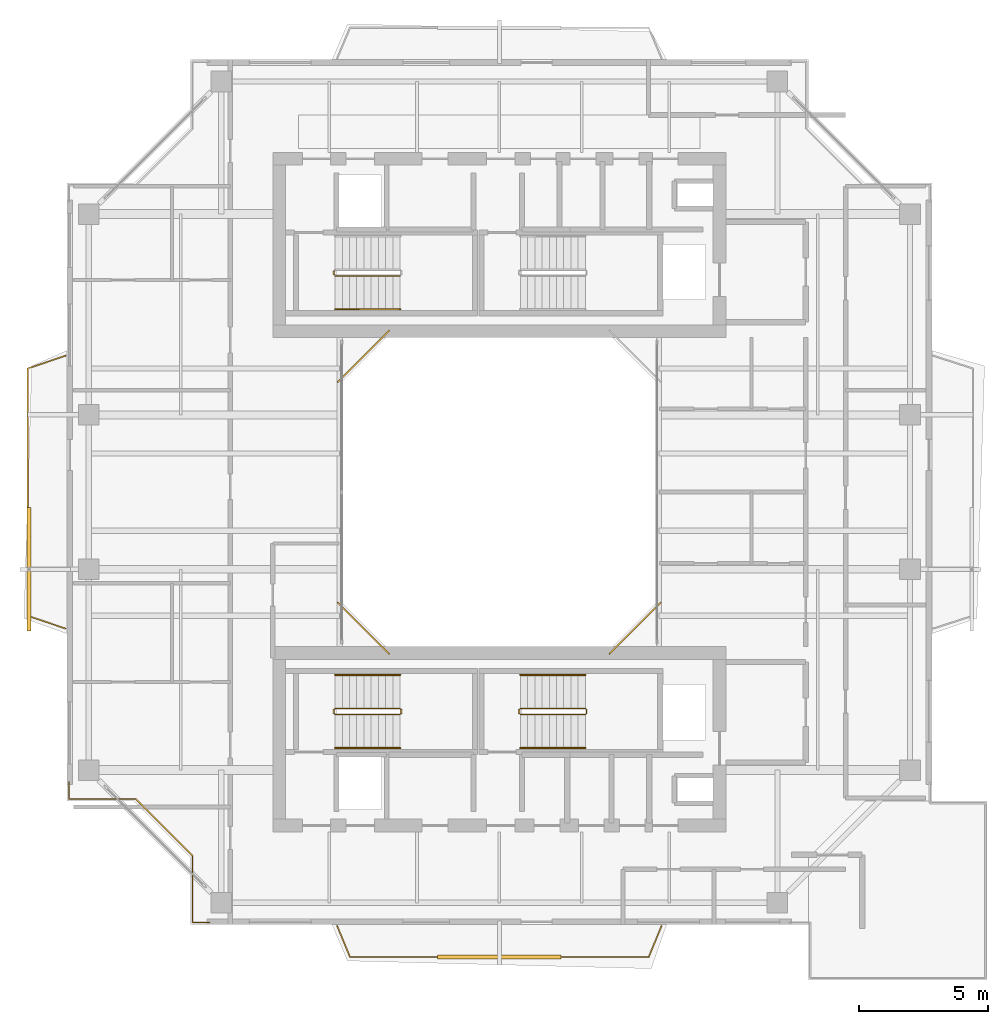
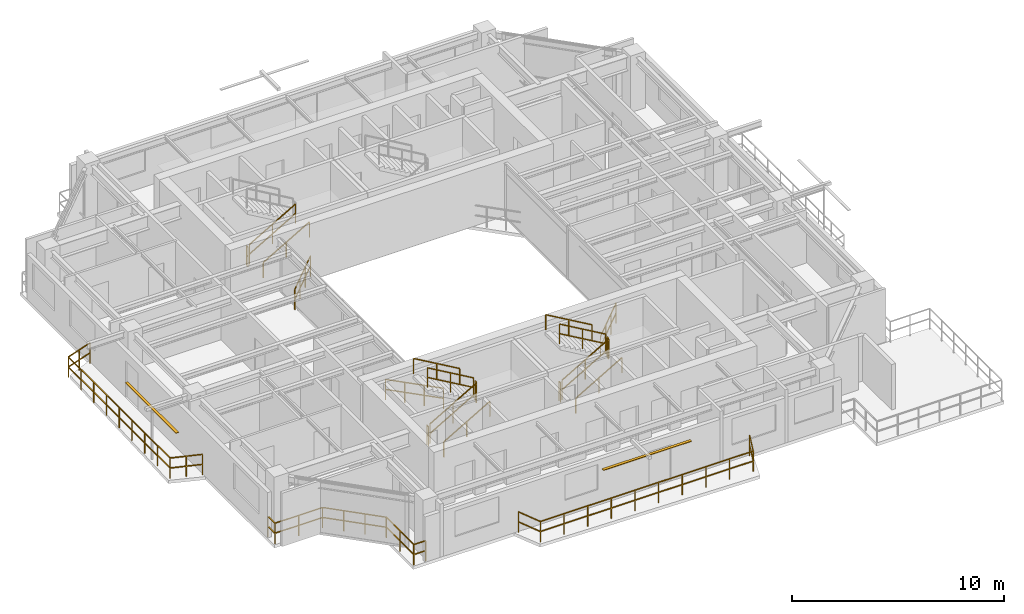
# One storey, part 14 of 16: 21 railings, 2 shading devices.
"""IFC4 building model written with IfcOpenShell, lengths in metres."""

from ifc_helpers import new_model, si_unit, direction, frame, origin, origin_2d, place, context, subcontext, project, spatial, rectangle, extrude, source, transform, mapped, material, material_profile, profile_set, type_object, element, save


model = new_model("IFC4")

# Units and contexts
model_context = context("Model", 3, precision=1e-05, world=origin(), true_north=direction((0.0, 1.0)))
body_context = subcontext(model_context, "Body", "Model", "MODEL_VIEW")
ifc_project = project(units=[si_unit("LENGTHUNIT", "METRE"), si_unit("AREAUNIT", "SQUARE_METRE"), si_unit("VOLUMEUNIT", "CUBIC_METRE"), si_unit("PLANEANGLEUNIT", "RADIAN"), si_unit("MASSUNIT", "GRAM", prefix="KILO"), si_unit("THERMODYNAMICTEMPERATUREUNIT", "KELVIN"), si_unit("POWERUNIT", "WATT")], contexts=[model_context])

# Site, building, storey
site_placement = place(None, origin())
site = spatial("IfcSite", under=ifc_project, at=site_placement, CompositionType="ELEMENT")
building_placement = place(site_placement, origin())
building = spatial("IfcBuilding", under=site, at=building_placement, Name="Qiaomeng Ring Towers", CompositionType="ELEMENT")
storey_placement = place(building_placement, frame((0.0, 0.0, 203.5)))
storey = spatial("IfcBuildingStorey", under=building, at=storey_placement, Name="L59", CompositionType="ELEMENT", Elevation=203.5)

# Railings
ifc_material_1 = material(Name="Low-E pale-green laminated safety glass", Category="glass")
railing_type_1 = type_object("IfcRailingType", Name="ARC-RL-BAL1", PredefinedType="BALUSTRADE", material=ifc_material_1)
railing_1_placement = place(storey_placement, frame((23.280029296875, 16.719970703125, 0.0)))
element("IfcRailing", 1, at=railing_1_placement, inside=storey, type_object=railing_type_1, Name="L59 Balustrade ARC-BAL-WELL1-L59-1", PredefinedType="BALUSTRADE", context=body_context, shape_type="SweptSolid", body=[
    extrude(rectangle(XDim=0.048095703125, YDim=0.048095703125, at=origin_2d()), frame((0.0, 0.0, 1.17578125), z_axis=(0.707106781187, 0.707106781187, 0.0), x_axis=(-0.707106781187, 0.707106781187, 0.0)), (0.0, 0.0, 1.0), 2.828369140625),
    extrude(rectangle(XDim=0.048095703125, YDim=0.048095703125, at=origin_2d()), frame((0.0, 0.0, 0.60009765625), z_axis=(0.707106781187, 0.707106781187, 0.0), x_axis=(-0.707106781187, 0.707106781187, 0.0)), (0.0, 0.0, 1.0), 2.828369140625),
    extrude(rectangle(XDim=0.0419921875, YDim=0.0419921875, at=origin_2d()), origin(), (0.0, 0.0, 1.0), 1.15185546875),
    extrude(rectangle(XDim=0.0419921875, YDim=0.0419921875, at=origin_2d()), frame((0.666748046875, 0.666748046875, 0.0)), (0.0, 0.0, 1.0), 1.15185546875),
    extrude(rectangle(XDim=0.0419921875, YDim=0.0419921875, at=origin_2d()), frame((1.333251953125, 1.333251953125, 0.0)), (0.0, 0.0, 1.0), 1.15185546875),
    extrude(rectangle(XDim=0.0419921875, YDim=0.0419921875, at=origin_2d()), frame((2.0, 2.0, 0.0)), (0.0, 0.0, 1.0), 1.15185546875),
])
railing_2_placement = place(storey_placement, frame((14.719970703125, 29.280029296875, 0.0)))
element("IfcRailing", 2, at=railing_2_placement, inside=storey, type_object=railing_type_1, Name="L59 Balustrade ARC-BAL-WELL1-L59-3", PredefinedType="BALUSTRADE", context=body_context, shape_type="SweptSolid", body=[
    extrude(rectangle(XDim=0.048095703125, YDim=0.048095703125, at=origin_2d()), frame((0.0, 0.0, 1.17578125), z_axis=(-0.707106781187, -0.707106781187, 0.0), x_axis=(0.707106781187, -0.707106781187, 0.0)), (0.0, 0.0, 1.0), 2.828369140625),
    extrude(rectangle(XDim=0.048095703125, YDim=0.048095703125, at=origin_2d()), frame((0.0, 0.0, 0.60009765625), z_axis=(-0.707106781187, -0.707106781187, 0.0), x_axis=(0.707106781187, -0.707106781187, 0.0)), (0.0, 0.0, 1.0), 2.828369140625),
    extrude(rectangle(XDim=0.0419921875, YDim=0.0419921875, at=origin_2d()), origin(), (0.0, 0.0, 1.0), 1.15185546875),
    extrude(rectangle(XDim=0.0419921875, YDim=0.0419921875, at=origin_2d()), frame((-0.666748046875, -0.666748046875, 0.0)), (0.0, 0.0, 1.0), 1.15185546875),
    extrude(rectangle(XDim=0.0419921875, YDim=0.0419921875, at=origin_2d()), frame((-1.333251953125, -1.333251953125, 0.0)), (0.0, 0.0, 1.0), 1.15185546875),
    extrude(rectangle(XDim=0.0419921875, YDim=0.0419921875, at=origin_2d()), frame((-2.0, -2.0, 0.0)), (0.0, 0.0, 1.0), 1.15185546875),
])
railing_3_placement = place(storey_placement, frame((12.719970703125, 18.719970703125, 0.0)))
element("IfcRailing", 3, at=railing_3_placement, inside=storey, type_object=railing_type_1, Name="L59 Balustrade ARC-BAL-WELL1-L59-4", PredefinedType="BALUSTRADE", context=body_context, shape_type="SweptSolid", body=[
    extrude(rectangle(XDim=0.048095703125, YDim=0.048095703125, at=origin_2d()), frame((0.0, 0.0, 1.17578125), z_axis=(0.707106781187, -0.707106781187, 0.0), x_axis=(0.707106781187, 0.707106781187, 0.0)), (0.0, 0.0, 1.0), 2.828369140625),
    extrude(rectangle(XDim=0.048095703125, YDim=0.048095703125, at=origin_2d()), frame((0.0, 0.0, 0.60009765625), z_axis=(0.707106781187, -0.707106781187, 0.0), x_axis=(0.707106781187, 0.707106781187, 0.0)), (0.0, 0.0, 1.0), 2.828369140625),
    extrude(rectangle(XDim=0.0419921875, YDim=0.0419921875, at=origin_2d()), origin(), (0.0, 0.0, 1.0), 1.15185546875),
    extrude(rectangle(XDim=0.0419921875, YDim=0.0419921875, at=origin_2d()), frame((0.666748046875, -0.666748046875, 0.0)), (0.0, 0.0, 1.0), 1.15185546875),
    extrude(rectangle(XDim=0.0419921875, YDim=0.0419921875, at=origin_2d()), frame((1.333251953125, -1.333251953125, 0.0)), (0.0, 0.0, 1.0), 1.15185546875),
    extrude(rectangle(XDim=0.0419921875, YDim=0.0419921875, at=origin_2d()), frame((2.0, -2.0, 0.0)), (0.0, 0.0, 1.0), 1.15185546875),
])
railing_4_placement = place(storey_placement, frame((2.280029296875, 11.72998046875, 0.0)))
element("IfcRailing", 4, at=railing_4_placement, inside=storey, type_object=railing_type_1, Name="L59 Balustrade ARC-BAL-NOTCH1-L59-SW", PredefinedType="BALUSTRADE", context=body_context, shape_type="SweptSolid", body=[
    extrude(rectangle(XDim=0.048095703125, YDim=0.048095703125, at=origin_2d()), frame((0.0, 0.0, 1.17578125), z_axis=(0.0, -1.0, 0.0), x_axis=(1.0, 0.0, 0.0)), (0.0, 0.0, 1.0), 0.64990234375),
    extrude(rectangle(XDim=0.048095703125, YDim=0.048095703125, at=origin_2d()), frame((0.0, 0.0, 0.60009765625), z_axis=(0.0, -1.0, 0.0), x_axis=(1.0, 0.0, 0.0)), (0.0, 0.0, 1.0), 0.64990234375),
    extrude(rectangle(XDim=0.048095703125, YDim=0.048095703125, at=origin_2d()), frame((0.0, -0.64990234375, 1.17578125), z_axis=(1.0, 0.0, 0.0), x_axis=(0.0, 1.0, 0.0)), (0.0, 0.0, 1.0), 2.599853515625),
    extrude(rectangle(XDim=0.048095703125, YDim=0.048095703125, at=origin_2d()), frame((0.0, -0.64990234375, 0.60009765625), z_axis=(1.0, 0.0, 0.0), x_axis=(0.0, 1.0, 0.0)), (0.0, 0.0, 1.0), 2.599853515625),
    extrude(rectangle(XDim=0.048095703125, YDim=0.048095703125, at=origin_2d()), frame((2.599853515625, -0.64990234375, 1.17578125), z_axis=(0.707106781187, -0.707106781187, 0.0), x_axis=(0.707106781187, 0.707106781187, 0.0)), (0.0, 0.0, 1.0), 3.111572265625),
    extrude(rectangle(XDim=0.048095703125, YDim=0.048095703125, at=origin_2d()), frame((2.599853515625, -0.64990234375, 0.60009765625), z_axis=(0.707106781187, -0.707106781187, 0.0), x_axis=(0.707106781187, 0.707106781187, 0.0)), (0.0, 0.0, 1.0), 3.111572265625),
    extrude(rectangle(XDim=0.048095703125, YDim=0.048095703125, at=origin_2d()), frame((4.800048828125, -2.85009765625, 1.17578125), z_axis=(0.0, -1.0, 0.0), x_axis=(1.0, 0.0, 0.0)), (0.0, 0.0, 1.0), 2.599853515625),
    extrude(rectangle(XDim=0.048095703125, YDim=0.048095703125, at=origin_2d()), frame((4.800048828125, -2.85009765625, 0.60009765625), z_axis=(0.0, -1.0, 0.0), x_axis=(1.0, 0.0, 0.0)), (0.0, 0.0, 1.0), 2.599853515625),
    extrude(rectangle(XDim=0.048095703125, YDim=0.048095703125, at=origin_2d()), frame((4.800048828125, -5.449951171875, 1.17578125), z_axis=(1.0, 0.0, 0.0), x_axis=(0.0, 1.0, 0.0)), (0.0, 0.0, 1.0), 0.64990234375),
    extrude(rectangle(XDim=0.048095703125, YDim=0.048095703125, at=origin_2d()), frame((4.800048828125, -5.449951171875, 0.60009765625), z_axis=(1.0, 0.0, 0.0), x_axis=(0.0, 1.0, 0.0)), (0.0, 0.0, 1.0), 0.64990234375),
    extrude(rectangle(XDim=0.0419921875, YDim=0.0419921875, at=origin_2d()), origin(), (0.0, 0.0, 1.0), 1.15185546875),
    extrude(rectangle(XDim=0.0419921875, YDim=0.0419921875, at=origin_2d()), frame((0.0, -0.64990234375, 0.0)), (0.0, 0.0, 1.0), 1.15185546875),
    extrude(rectangle(XDim=0.0419921875, YDim=0.0419921875, at=origin_2d()), frame((1.2998046875, -0.64990234375, 0.0)), (0.0, 0.0, 1.0), 1.15185546875),
    extrude(rectangle(XDim=0.0419921875, YDim=0.0419921875, at=origin_2d()), frame((2.599853515625, -0.64990234375, 0.0)), (0.0, 0.0, 1.0), 1.15185546875),
    extrude(rectangle(XDim=0.0419921875, YDim=0.0419921875, at=origin_2d()), frame((3.333251953125, -1.38330078125, 0.0)), (0.0, 0.0, 1.0), 1.15185546875),
    extrude(rectangle(XDim=0.0419921875, YDim=0.0419921875, at=origin_2d()), frame((4.066650390625, -2.11669921875, 0.0)), (0.0, 0.0, 1.0), 1.15185546875),
    extrude(rectangle(XDim=0.0419921875, YDim=0.0419921875, at=origin_2d()), frame((4.800048828125, -2.85009765625, 0.0)), (0.0, 0.0, 1.0), 1.15185546875),
    extrude(rectangle(XDim=0.0419921875, YDim=0.0419921875, at=origin_2d()), frame((4.800048828125, -4.14990234375, 0.0)), (0.0, 0.0, 1.0), 1.15185546875),
    extrude(rectangle(XDim=0.0419921875, YDim=0.0419921875, at=origin_2d()), frame((4.800048828125, -5.449951171875, 0.0)), (0.0, 0.0, 1.0), 1.15185546875),
    extrude(rectangle(XDim=0.0419921875, YDim=0.0419921875, at=origin_2d()), frame((5.449951171875, -5.449951171875, 0.0)), (0.0, 0.0, 1.0), 1.15185546875),
])
railing_5_placement = place(storey_placement, frame((12.699951171875, 6.14990234375, 0.0)))
element("IfcRailing", 5, at=railing_5_placement, inside=storey, type_object=railing_type_1, Name="L59 Balustrade ARC-BAL-L59-T1-S", PredefinedType="BALUSTRADE", context=body_context, shape_type="SweptSolid", body=[
    extrude(rectangle(XDim=0.048095703125, YDim=0.048095703125, at=origin_2d()), frame((0.0, 0.0, 1.17578125), z_axis=(0.381912525892, -0.924198475743, 0.0), x_axis=(0.924198475743, 0.381912525892, 0.0)), (0.0, 0.0, 1.0), 1.30908203125),
    extrude(rectangle(XDim=0.048095703125, YDim=0.048095703125, at=origin_2d()), frame((0.0, 0.0, 0.60009765625), z_axis=(0.381912525892, -0.924198475743, 0.0), x_axis=(0.924198475743, 0.381912525892, 0.0)), (0.0, 0.0, 1.0), 1.30908203125),
    extrude(rectangle(XDim=0.048095703125, YDim=0.048095703125, at=origin_2d()), frame((0.5, -1.2099609375, 1.17578125), z_axis=(1.0, 0.0, 0.0), x_axis=(0.0, 1.0, 0.0)), (0.0, 0.0, 1.0), 11.60009765625),
    extrude(rectangle(XDim=0.048095703125, YDim=0.048095703125, at=origin_2d()), frame((0.5, -1.2099609375, 0.60009765625), z_axis=(1.0, 0.0, 0.0), x_axis=(0.0, 1.0, 0.0)), (0.0, 0.0, 1.0), 11.60009765625),
    extrude(rectangle(XDim=0.048095703125, YDim=0.048095703125, at=origin_2d()), frame((12.10009765625, -1.2099609375, 1.17578125), z_axis=(0.381912525892, 0.924198475743, 0.0), x_axis=(-0.924198475743, 0.381912525892, 0.0)), (0.0, 0.0, 1.0), 1.30908203125),
    extrude(rectangle(XDim=0.048095703125, YDim=0.048095703125, at=origin_2d()), frame((12.10009765625, -1.2099609375, 0.60009765625), z_axis=(0.381912525892, 0.924198475743, 0.0), x_axis=(-0.924198475743, 0.381912525892, 0.0)), (0.0, 0.0, 1.0), 1.30908203125),
    extrude(rectangle(XDim=0.0419921875, YDim=0.0419921875, at=origin_2d()), origin(), (0.0, 0.0, 1.0), 1.15185546875),
    extrude(rectangle(XDim=0.0419921875, YDim=0.0419921875, at=origin_2d()), frame((0.5, -1.2099609375, 0.0)), (0.0, 0.0, 1.0), 1.15185546875),
    extrude(rectangle(XDim=0.0419921875, YDim=0.0419921875, at=origin_2d()), frame((1.788818359375, -1.2099609375, 0.0)), (0.0, 0.0, 1.0), 1.15185546875),
    extrude(rectangle(XDim=0.0419921875, YDim=0.0419921875, at=origin_2d()), frame((3.077880859375, -1.2099609375, 0.0)), (0.0, 0.0, 1.0), 1.15185546875),
    extrude(rectangle(XDim=0.0419921875, YDim=0.0419921875, at=origin_2d()), frame((4.36669921875, -1.2099609375, 0.0)), (0.0, 0.0, 1.0), 1.15185546875),
    extrude(rectangle(XDim=0.0419921875, YDim=0.0419921875, at=origin_2d()), frame((5.655517578125, -1.2099609375, 0.0)), (0.0, 0.0, 1.0), 1.15185546875),
    extrude(rectangle(XDim=0.0419921875, YDim=0.0419921875, at=origin_2d()), frame((6.944580078125, -1.2099609375, 0.0)), (0.0, 0.0, 1.0), 1.15185546875),
    extrude(rectangle(XDim=0.0419921875, YDim=0.0419921875, at=origin_2d()), frame((8.2333984375, -1.2099609375, 0.0)), (0.0, 0.0, 1.0), 1.15185546875),
    extrude(rectangle(XDim=0.0419921875, YDim=0.0419921875, at=origin_2d()), frame((9.522216796875, -1.2099609375, 0.0)), (0.0, 0.0, 1.0), 1.15185546875),
    extrude(rectangle(XDim=0.0419921875, YDim=0.0419921875, at=origin_2d()), frame((10.811279296875, -1.2099609375, 0.0)), (0.0, 0.0, 1.0), 1.15185546875),
    extrude(rectangle(XDim=0.0419921875, YDim=0.0419921875, at=origin_2d()), frame((12.10009765625, -1.2099609375, 0.0)), (0.0, 0.0, 1.0), 1.15185546875),
    extrude(rectangle(XDim=0.0419921875, YDim=0.0419921875, at=origin_2d()), frame((12.60009765625, 0.0, 0.0)), (0.0, 0.0, 1.0), 1.15185546875),
])
railing_6_placement = place(storey_placement, frame((2.14990234375, 17.699951171875, 0.0)))
element("IfcRailing", 6, at=railing_6_placement, inside=storey, type_object=railing_type_1, Name="L59 Balustrade ARC-BAL-L59-T1-W", PredefinedType="BALUSTRADE", context=body_context, shape_type="SweptSolid", body=[
    extrude(rectangle(XDim=0.048095703125, YDim=0.048095703125, at=origin_2d()), frame((0.0, 0.0, 1.17578125), z_axis=(-0.946731524739, 0.322023943309, 0.0), x_axis=(-0.322023943309, -0.946731524739, 0.0)), (0.0, 0.0, 1.0), 1.552734375),
    extrude(rectangle(XDim=0.048095703125, YDim=0.048095703125, at=origin_2d()), frame((0.0, 0.0, 0.60009765625), z_axis=(-0.946731524739, 0.322023943309, 0.0), x_axis=(-0.322023943309, -0.946731524739, 0.0)), (0.0, 0.0, 1.0), 1.552734375),
    extrude(rectangle(XDim=0.048095703125, YDim=0.048095703125, at=origin_2d()), frame((-1.469970703125, 0.5, 1.17578125), z_axis=(0.0, 1.0, 0.0), x_axis=(-1.0, 0.0, 0.0)), (0.0, 0.0, 1.0), 9.60009765625),
    extrude(rectangle(XDim=0.048095703125, YDim=0.048095703125, at=origin_2d()), frame((-1.469970703125, 0.5, 0.60009765625), z_axis=(0.0, 1.0, 0.0), x_axis=(-1.0, 0.0, 0.0)), (0.0, 0.0, 1.0), 9.60009765625),
    extrude(rectangle(XDim=0.048095703125, YDim=0.048095703125, at=origin_2d()), frame((-1.469970703125, 10.10009765625, 1.17578125), z_axis=(0.946731524739, 0.322023943309, 0.0), x_axis=(-0.322023943309, 0.946731524739, 0.0)), (0.0, 0.0, 1.0), 1.552734375),
    extrude(rectangle(XDim=0.048095703125, YDim=0.048095703125, at=origin_2d()), frame((-1.469970703125, 10.10009765625, 0.60009765625), z_axis=(0.946731524739, 0.322023943309, 0.0), x_axis=(-0.322023943309, 0.946731524739, 0.0)), (0.0, 0.0, 1.0), 1.552734375),
    extrude(rectangle(XDim=0.0419921875, YDim=0.0419921875, at=origin_2d()), origin(), (0.0, 0.0, 1.0), 1.15185546875),
    extrude(rectangle(XDim=0.0419921875, YDim=0.0419921875, at=origin_2d()), frame((-0.73486328125, 0.25, 0.0)), (0.0, 0.0, 1.0), 1.15185546875),
    extrude(rectangle(XDim=0.0419921875, YDim=0.0419921875, at=origin_2d()), frame((-1.469970703125, 0.5, 0.0)), (0.0, 0.0, 1.0), 1.15185546875),
    extrude(rectangle(XDim=0.0419921875, YDim=0.0419921875, at=origin_2d()), frame((-1.469970703125, 1.699951171875, 0.0)), (0.0, 0.0, 1.0), 1.15185546875),
    extrude(rectangle(XDim=0.0419921875, YDim=0.0419921875, at=origin_2d()), frame((-1.469970703125, 2.89990234375, 0.0)), (0.0, 0.0, 1.0), 1.15185546875),
    extrude(rectangle(XDim=0.0419921875, YDim=0.0419921875, at=origin_2d()), frame((-1.469970703125, 4.10009765625, 0.0)), (0.0, 0.0, 1.0), 1.15185546875),
    extrude(rectangle(XDim=0.0419921875, YDim=0.0419921875, at=origin_2d()), frame((-1.469970703125, 5.300048828125, 0.0)), (0.0, 0.0, 1.0), 1.15185546875),
    extrude(rectangle(XDim=0.0419921875, YDim=0.0419921875, at=origin_2d()), frame((-1.469970703125, 6.5, 0.0)), (0.0, 0.0, 1.0), 1.15185546875),
    extrude(rectangle(XDim=0.0419921875, YDim=0.0419921875, at=origin_2d()), frame((-1.469970703125, 7.7001953125, 0.0)), (0.0, 0.0, 1.0), 1.15185546875),
    extrude(rectangle(XDim=0.0419921875, YDim=0.0419921875, at=origin_2d()), frame((-1.469970703125, 8.900146484375, 0.0)), (0.0, 0.0, 1.0), 1.15185546875),
    extrude(rectangle(XDim=0.0419921875, YDim=0.0419921875, at=origin_2d()), frame((-1.469970703125, 10.10009765625, 0.0)), (0.0, 0.0, 1.0), 1.15185546875),
    extrude(rectangle(XDim=0.0419921875, YDim=0.0419921875, at=origin_2d()), frame((-0.73486328125, 10.35009765625, 0.0)), (0.0, 0.0, 1.0), 1.15185546875),
    extrude(rectangle(XDim=0.0419921875, YDim=0.0419921875, at=origin_2d()), frame((0.0, 10.60009765625, 0.0)), (0.0, 0.0, 1.0), 1.15185546875),
])
ifc_material_2 = material(Name="Galvanised steel", Category="steel")
railing_type_2 = type_object("IfcRailingType", Name="ARC-RL-GUARD", PredefinedType="GUARDRAIL", material=ifc_material_2)
railing_7_placement = place(storey_placement, frame((12.6201171875, 31.39990234375, 0.16259765625)))
element("IfcRailing", 7, at=railing_7_placement, inside=storey, type_object=railing_type_2, Name="L59 ST1 stair guard 1", PredefinedType="GUARDRAIL", context=body_context, shape_type="SweptSolid", body=[
    extrude(rectangle(XDim=0.048095703125, YDim=0.048095703125, at=origin_2d()), frame((0.0, 0.0, 1.1259765625), z_axis=(0.864892226395, 0.0, 0.501957604506), x_axis=(0.0, 1.0, 0.0)), (0.0, 0.0, 1.0), 2.913330078125),
    extrude(rectangle(XDim=0.048095703125, YDim=0.048095703125, at=origin_2d()), frame((0.0, 0.0, 0.574951171875), z_axis=(0.864892226395, 0.0, 0.501957604506), x_axis=(0.0, 1.0, 0.0)), (0.0, 0.0, 1.0), 2.913330078125),
    extrude(rectangle(XDim=0.0419921875, YDim=0.0419921875, at=origin_2d()), origin(), (0.0, 0.0, 1.0), 1.101806640625),
    extrude(rectangle(XDim=0.0419921875, YDim=0.0419921875, at=origin_2d()), frame((1.259765625, 0.0, 0.731201171875)), (0.0, 0.0, 1.0), 1.101806640625),
    extrude(rectangle(XDim=0.0419921875, YDim=0.0419921875, at=origin_2d()), frame((2.519775390625, 0.0, 1.46240234375)), (0.0, 0.0, 1.0), 1.101806640625),
])
railing_8_placement = place(storey_placement, frame((12.570068359375, 31.449951171875, 0.0)))
element("IfcRailing", 8, at=railing_8_placement, inside=storey, type_object=railing_type_2, Name="L59 ST1 stair guard 4", PredefinedType="GUARDRAIL", context=body_context, shape_type="SweptSolid", body=[
    extrude(rectangle(XDim=0.048095703125, YDim=0.048095703125, at=origin_2d()), frame((0.0, 0.0, 1.1259765625), z_axis=(0.0, 1.0, 0.0), x_axis=(-1.0, 0.0, 0.0)), (0.0, 0.0, 1.0), 0.14013671875),
    extrude(rectangle(XDim=0.048095703125, YDim=0.048095703125, at=origin_2d()), frame((0.0, 0.0, 0.574951171875), z_axis=(0.0, 1.0, 0.0), x_axis=(-1.0, 0.0, 0.0)), (0.0, 0.0, 1.0), 0.14013671875),
    extrude(rectangle(XDim=0.0419921875, YDim=0.0419921875, at=origin_2d()), origin(), (0.0, 0.0, 1.0), 1.101806640625),
    extrude(rectangle(XDim=0.0419921875, YDim=0.0419921875, at=origin_2d()), frame((0.0, 0.14013671875, 0.0)), (0.0, 0.0, 1.0), 1.101806640625),
])
railing_9_placement = place(storey_placement, frame((12.6201171875, 14.360107421875, 0.16259765625)))
element("IfcRailing", 9, at=railing_9_placement, inside=storey, type_object=railing_type_2, Name="L59 ST3 stair guard 1", PredefinedType="GUARDRAIL", context=body_context, shape_type="SweptSolid", body=[
    extrude(rectangle(XDim=0.048095703125, YDim=0.048095703125, at=origin_2d()), frame((0.0, 0.0, 1.1259765625), z_axis=(0.864892226395, 0.0, 0.501957604506), x_axis=(0.0, 1.0, 0.0)), (0.0, 0.0, 1.0), 2.913330078125),
    extrude(rectangle(XDim=0.048095703125, YDim=0.048095703125, at=origin_2d()), frame((0.0, 0.0, 0.574951171875), z_axis=(0.864892226395, 0.0, 0.501957604506), x_axis=(0.0, 1.0, 0.0)), (0.0, 0.0, 1.0), 2.913330078125),
    extrude(rectangle(XDim=0.0419921875, YDim=0.0419921875, at=origin_2d()), origin(), (0.0, 0.0, 1.0), 1.101806640625),
    extrude(rectangle(XDim=0.0419921875, YDim=0.0419921875, at=origin_2d()), frame((1.259765625, 0.0, 0.731201171875)), (0.0, 0.0, 1.0), 1.101806640625),
    extrude(rectangle(XDim=0.0419921875, YDim=0.0419921875, at=origin_2d()), frame((2.519775390625, 0.0, 1.46240234375)), (0.0, 0.0, 1.0), 1.101806640625),
])
railing_10_placement = place(storey_placement, frame((15.18994140625, 14.409912109375, 1.625)))
element("IfcRailing", 10, at=railing_10_placement, inside=storey, type_object=railing_type_2, Name="L59 ST3 stair guard 2", PredefinedType="GUARDRAIL", context=body_context, shape_type="SweptSolid", body=[
    extrude(rectangle(XDim=0.048095703125, YDim=0.048095703125, at=origin_2d()), frame((0.0, 0.0, 1.1259765625), z_axis=(0.0, 1.0, 0.0), x_axis=(-1.0, 0.0, 0.0)), (0.0, 0.0, 1.0), 0.14013671875),
    extrude(rectangle(XDim=0.048095703125, YDim=0.048095703125, at=origin_2d()), frame((0.0, 0.0, 0.574951171875), z_axis=(0.0, 1.0, 0.0), x_axis=(-1.0, 0.0, 0.0)), (0.0, 0.0, 1.0), 0.14013671875),
    extrude(rectangle(XDim=0.0419921875, YDim=0.0419921875, at=origin_2d()), origin(), (0.0, 0.0, 1.0), 1.101806640625),
    extrude(rectangle(XDim=0.0419921875, YDim=0.0419921875, at=origin_2d()), frame((0.0, 0.14013671875, 0.0)), (0.0, 0.0, 1.0), 1.101806640625),
])
railing_11_placement = place(storey_placement, frame((15.139892578125, 14.60009765625, 1.78759765625)))
element("IfcRailing", 11, at=railing_11_placement, inside=storey, type_object=railing_type_2, Name="L59 ST3 stair guard 3", PredefinedType="GUARDRAIL", context=body_context, shape_type="SweptSolid", body=[
    extrude(rectangle(XDim=0.048095703125, YDim=0.048095703125, at=origin_2d()), frame((0.0, 0.0, 1.1259765625), z_axis=(-0.864892226395, 0.0, 0.501957604506), x_axis=(0.0, -1.0, 0.0)), (0.0, 0.0, 1.0), 2.913330078125),
    extrude(rectangle(XDim=0.048095703125, YDim=0.048095703125, at=origin_2d()), frame((0.0, 0.0, 0.574951171875), z_axis=(-0.864892226395, 0.0, 0.501957604506), x_axis=(0.0, -1.0, 0.0)), (0.0, 0.0, 1.0), 2.913330078125),
    extrude(rectangle(XDim=0.0419921875, YDim=0.0419921875, at=origin_2d()), origin(), (0.0, 0.0, 1.0), 1.101806640625),
    extrude(rectangle(XDim=0.0419921875, YDim=0.0419921875, at=origin_2d()), frame((-1.259765625, 0.0, 0.731201171875)), (0.0, 0.0, 1.0), 1.101806640625),
    extrude(rectangle(XDim=0.0419921875, YDim=0.0419921875, at=origin_2d()), frame((-2.519775390625, 0.0, 1.46240234375)), (0.0, 0.0, 1.0), 1.101806640625),
])
railing_12_placement = place(storey_placement, frame((12.570068359375, 14.409912109375, 0.0)))
element("IfcRailing", 12, at=railing_12_placement, inside=storey, type_object=railing_type_2, Name="L59 ST3 stair guard 4", PredefinedType="GUARDRAIL", context=body_context, shape_type="SweptSolid", body=[
    extrude(rectangle(XDim=0.048095703125, YDim=0.048095703125, at=origin_2d()), frame((0.0, 0.0, 1.1259765625), z_axis=(0.0, 1.0, 0.0), x_axis=(-1.0, 0.0, 0.0)), (0.0, 0.0, 1.0), 0.14013671875),
    extrude(rectangle(XDim=0.048095703125, YDim=0.048095703125, at=origin_2d()), frame((0.0, 0.0, 0.574951171875), z_axis=(0.0, 1.0, 0.0), x_axis=(-1.0, 0.0, 0.0)), (0.0, 0.0, 1.0), 0.14013671875),
    extrude(rectangle(XDim=0.0419921875, YDim=0.0419921875, at=origin_2d()), origin(), (0.0, 0.0, 1.0), 1.101806640625),
    extrude(rectangle(XDim=0.0419921875, YDim=0.0419921875, at=origin_2d()), frame((0.0, 0.14013671875, 0.0)), (0.0, 0.0, 1.0), 1.101806640625),
])
railing_13_placement = place(storey_placement, frame((19.820068359375, 14.360107421875, 0.16259765625)))
element("IfcRailing", 13, at=railing_13_placement, inside=storey, type_object=railing_type_2, Name="L59 ST4 stair guard 1", PredefinedType="GUARDRAIL", context=body_context, shape_type="SweptSolid", body=[
    extrude(rectangle(XDim=0.048095703125, YDim=0.048095703125, at=origin_2d()), frame((0.0, 0.0, 1.1259765625), z_axis=(0.864913338283, 0.0, 0.50192122615), x_axis=(0.0, 1.0, 0.0)), (0.0, 0.0, 1.0), 2.91357421875),
    extrude(rectangle(XDim=0.048095703125, YDim=0.048095703125, at=origin_2d()), frame((0.0, 0.0, 0.574951171875), z_axis=(0.864913338283, 0.0, 0.50192122615), x_axis=(0.0, 1.0, 0.0)), (0.0, 0.0, 1.0), 2.91357421875),
    extrude(rectangle(XDim=0.0419921875, YDim=0.0419921875, at=origin_2d()), origin(), (0.0, 0.0, 1.0), 1.101806640625),
    extrude(rectangle(XDim=0.0419921875, YDim=0.0419921875, at=origin_2d()), frame((1.260009765625, 0.0, 0.731201171875)), (0.0, 0.0, 1.0), 1.101806640625),
    extrude(rectangle(XDim=0.0419921875, YDim=0.0419921875, at=origin_2d()), frame((2.52001953125, 0.0, 1.46240234375)), (0.0, 0.0, 1.0), 1.101806640625),
])
railing_14_placement = place(storey_placement, frame((22.389892578125, 14.409912109375, 1.625)))
element("IfcRailing", 14, at=railing_14_placement, inside=storey, type_object=railing_type_2, Name="L59 ST4 stair guard 2", PredefinedType="GUARDRAIL", context=body_context, shape_type="SweptSolid", body=[
    extrude(rectangle(XDim=0.048095703125, YDim=0.048095703125, at=origin_2d()), frame((0.0, 0.0, 1.1259765625), z_axis=(0.0, 1.0, 0.0), x_axis=(-1.0, 0.0, 0.0)), (0.0, 0.0, 1.0), 0.14013671875),
    extrude(rectangle(XDim=0.048095703125, YDim=0.048095703125, at=origin_2d()), frame((0.0, 0.0, 0.574951171875), z_axis=(0.0, 1.0, 0.0), x_axis=(-1.0, 0.0, 0.0)), (0.0, 0.0, 1.0), 0.14013671875),
    extrude(rectangle(XDim=0.0419921875, YDim=0.0419921875, at=origin_2d()), origin(), (0.0, 0.0, 1.0), 1.101806640625),
    extrude(rectangle(XDim=0.0419921875, YDim=0.0419921875, at=origin_2d()), frame((0.0, 0.14013671875, 0.0)), (0.0, 0.0, 1.0), 1.101806640625),
])
railing_15_placement = place(storey_placement, frame((22.340087890625, 14.60009765625, 1.78759765625)))
element("IfcRailing", 15, at=railing_15_placement, inside=storey, type_object=railing_type_2, Name="L59 ST4 stair guard 3", PredefinedType="GUARDRAIL", context=body_context, shape_type="SweptSolid", body=[
    extrude(rectangle(XDim=0.048095703125, YDim=0.048095703125, at=origin_2d()), frame((0.0, 0.0, 1.1259765625), z_axis=(-0.864913338283, 0.0, 0.50192122615), x_axis=(0.0, -1.0, 0.0)), (0.0, 0.0, 1.0), 2.91357421875),
    extrude(rectangle(XDim=0.048095703125, YDim=0.048095703125, at=origin_2d()), frame((0.0, 0.0, 0.574951171875), z_axis=(-0.864913338283, 0.0, 0.50192122615), x_axis=(0.0, -1.0, 0.0)), (0.0, 0.0, 1.0), 2.91357421875),
    extrude(rectangle(XDim=0.0419921875, YDim=0.0419921875, at=origin_2d()), origin(), (0.0, 0.0, 1.0), 1.101806640625),
    extrude(rectangle(XDim=0.0419921875, YDim=0.0419921875, at=origin_2d()), frame((-1.260009765625, 0.0, 0.731201171875)), (0.0, 0.0, 1.0), 1.101806640625),
    extrude(rectangle(XDim=0.0419921875, YDim=0.0419921875, at=origin_2d()), frame((-2.52001953125, 0.0, 1.46240234375)), (0.0, 0.0, 1.0), 1.101806640625),
])
railing_16_placement = place(storey_placement, frame((19.77001953125, 14.409912109375, 0.0)))
element("IfcRailing", 16, at=railing_16_placement, inside=storey, type_object=railing_type_2, Name="L59 ST4 stair guard 4", PredefinedType="GUARDRAIL", context=body_context, shape_type="SweptSolid", body=[
    extrude(rectangle(XDim=0.048095703125, YDim=0.048095703125, at=origin_2d()), frame((0.0, 0.0, 1.1259765625), z_axis=(0.0, 1.0, 0.0), x_axis=(-1.0, 0.0, 0.0)), (0.0, 0.0, 1.0), 0.14013671875),
    extrude(rectangle(XDim=0.048095703125, YDim=0.048095703125, at=origin_2d()), frame((0.0, 0.0, 0.574951171875), z_axis=(0.0, 1.0, 0.0), x_axis=(-1.0, 0.0, 0.0)), (0.0, 0.0, 1.0), 0.14013671875),
    extrude(rectangle(XDim=0.0419921875, YDim=0.0419921875, at=origin_2d()), origin(), (0.0, 0.0, 1.0), 1.101806640625),
    extrude(rectangle(XDim=0.0419921875, YDim=0.0419921875, at=origin_2d()), frame((0.0, 0.14013671875, 0.0)), (0.0, 0.0, 1.0), 1.101806640625),
])
ifc_material_3 = material(Name="Stainless steel 316", Category="steel")
railing_type_3 = type_object("IfcRailingType", Name="ARC-RL-HAND", PredefinedType="HANDRAIL", material=ifc_material_3)
for number, where, name in (
    (17, (12.6201171875, 30.10009765625, 0.16259765625), "L59 ST1 stair handrail 1"),
    (18, (12.6201171875, 13.06005859375, 0.16259765625), "L59 ST3 stair handrail 1"),
):
    element("IfcRailing", number, at=place(storey_placement, frame(where)), inside=storey, type_object=railing_type_3, Name=name, PredefinedType="HANDRAIL", context=body_context, shape_type="SweptSolid", body=[
        extrude(rectangle(XDim=0.048095703125, YDim=0.048095703125, at=origin_2d()), frame((0.0, 0.0, 0.8759765625), z_axis=(0.864892226395, 0.0, 0.501957604506), x_axis=(0.0, 1.0, 0.0)), (0.0, 0.0, 1.0), 2.913330078125),
        extrude(rectangle(XDim=0.0419921875, YDim=0.0419921875, at=origin_2d()), origin(), (0.0, 0.0, 1.0), 0.851806640625),
        extrude(rectangle(XDim=0.0419921875, YDim=0.0419921875, at=origin_2d()), frame((1.259765625, 0.0, 0.731201171875)), (0.0, 0.0, 1.0), 0.851806640625),
        extrude(rectangle(XDim=0.0419921875, YDim=0.0419921875, at=origin_2d()), frame((2.519775390625, 0.0, 1.46240234375)), (0.0, 0.0, 1.0), 0.851806640625),
    ])
railing_17_placement = place(storey_placement, frame((15.139892578125, 15.89990234375, 1.78759765625)))
element("IfcRailing", 19, at=railing_17_placement, inside=storey, type_object=railing_type_3, Name="L59 ST3 stair handrail 2", PredefinedType="HANDRAIL", context=body_context, shape_type="SweptSolid", body=[
    extrude(rectangle(XDim=0.048095703125, YDim=0.048095703125, at=origin_2d()), frame((0.0, 0.0, 0.8759765625), z_axis=(-0.864892226395, 0.0, 0.501957604506), x_axis=(0.0, -1.0, 0.0)), (0.0, 0.0, 1.0), 2.913330078125),
    extrude(rectangle(XDim=0.0419921875, YDim=0.0419921875, at=origin_2d()), origin(), (0.0, 0.0, 1.0), 0.851806640625),
    extrude(rectangle(XDim=0.0419921875, YDim=0.0419921875, at=origin_2d()), frame((-1.259765625, 0.0, 0.731201171875)), (0.0, 0.0, 1.0), 0.851806640625),
    extrude(rectangle(XDim=0.0419921875, YDim=0.0419921875, at=origin_2d()), frame((-2.519775390625, 0.0, 1.46240234375)), (0.0, 0.0, 1.0), 0.851806640625),
])
railing_18_placement = place(storey_placement, frame((19.820068359375, 13.06005859375, 0.16259765625)))
element("IfcRailing", 20, at=railing_18_placement, inside=storey, type_object=railing_type_3, Name="L59 ST4 stair handrail 1", PredefinedType="HANDRAIL", context=body_context, shape_type="SweptSolid", body=[
    extrude(rectangle(XDim=0.048095703125, YDim=0.048095703125, at=origin_2d()), frame((0.0, 0.0, 0.8759765625), z_axis=(0.864913338283, 0.0, 0.50192122615), x_axis=(0.0, 1.0, 0.0)), (0.0, 0.0, 1.0), 2.91357421875),
    extrude(rectangle(XDim=0.0419921875, YDim=0.0419921875, at=origin_2d()), origin(), (0.0, 0.0, 1.0), 0.851806640625),
    extrude(rectangle(XDim=0.0419921875, YDim=0.0419921875, at=origin_2d()), frame((1.260009765625, 0.0, 0.731201171875)), (0.0, 0.0, 1.0), 0.851806640625),
    extrude(rectangle(XDim=0.0419921875, YDim=0.0419921875, at=origin_2d()), frame((2.52001953125, 0.0, 1.46240234375)), (0.0, 0.0, 1.0), 0.851806640625),
])
railing_19_placement = place(storey_placement, frame((22.340087890625, 15.89990234375, 1.78759765625)))
element("IfcRailing", 21, at=railing_19_placement, inside=storey, type_object=railing_type_3, Name="L59 ST4 stair handrail 2", PredefinedType="HANDRAIL", context=body_context, shape_type="SweptSolid", body=[
    extrude(rectangle(XDim=0.048095703125, YDim=0.048095703125, at=origin_2d()), frame((0.0, 0.0, 0.8759765625), z_axis=(-0.864913338283, 0.0, 0.50192122615), x_axis=(0.0, -1.0, 0.0)), (0.0, 0.0, 1.0), 2.91357421875),
    extrude(rectangle(XDim=0.0419921875, YDim=0.0419921875, at=origin_2d()), origin(), (0.0, 0.0, 1.0), 0.851806640625),
    extrude(rectangle(XDim=0.0419921875, YDim=0.0419921875, at=origin_2d()), frame((-1.260009765625, 0.0, 0.731201171875)), (0.0, 0.0, 1.0), 0.851806640625),
    extrude(rectangle(XDim=0.0419921875, YDim=0.0419921875, at=origin_2d()), frame((-2.52001953125, 0.0, 1.46240234375)), (0.0, 0.0, 1.0), 0.851806640625),
])

# Shading devices
ifc_material_4 = material(Name="Fluorocarbon dark-grey aluminium", Category="aluminium")
ifc_material_profile = material_profile(ifc_material_4, rectangle(XDim=0.14990234375, YDim=0.034912109375, at=origin_2d()), Name="LV BLADE 150x35")
ifc_profile_set = profile_set([ifc_material_profile], Name="Fluorocarbon dark-grey aluminium")
shading_device_type = type_object("IfcShadingDeviceType", Name="ARC-SHD-SUN", PredefinedType="AWNING", material=ifc_profile_set)
shared_shape = source(origin(), body_context, "Body", "SweptSolid", [
    extrude(rectangle(XDim=0.14990234375, YDim=0.034912109375, at=origin_2d()), origin(), (0.0, 0.0, 1.0), 4.7998046875),
])
for number, where, z_axis, x_axis, name in (
    (22, (16.60009765625, 4.93994140625, 2.969970703125), (1.0, 0.0, 0.0), (0.0, 1.0, 0.0), "L59 Ventilated Outer-Skin Sunshade S"),
    (23, (0.72998046875, 17.60009765625, 2.969970703125), (0.0, 1.0, 0.0), (-1.0, 0.0, 0.0), "L59 Ventilated Outer-Skin Sunshade W"),
):
    element("IfcShadingDevice", number, at=place(storey_placement, frame(where, z_axis=z_axis, x_axis=x_axis)), inside=storey, type_object=shading_device_type, Name=name, PredefinedType="AWNING", context=body_context, shape_type="MappedRepresentation", body=[
        mapped(shared_shape, transform((0.0, 0.0, 0.0), x_axis=(1.0, 0.0, 0.0), y_axis=(0.0, 1.0, 0.0), z_axis=(0.0, 0.0, 1.0), scale=1.0)),
    ])

save(model, "model.ifc")
